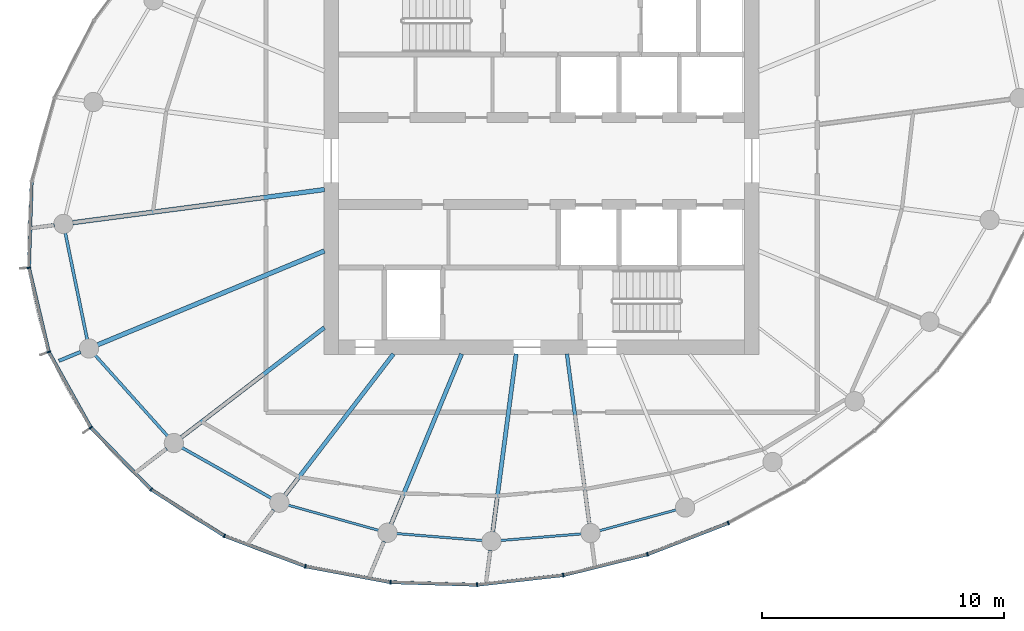
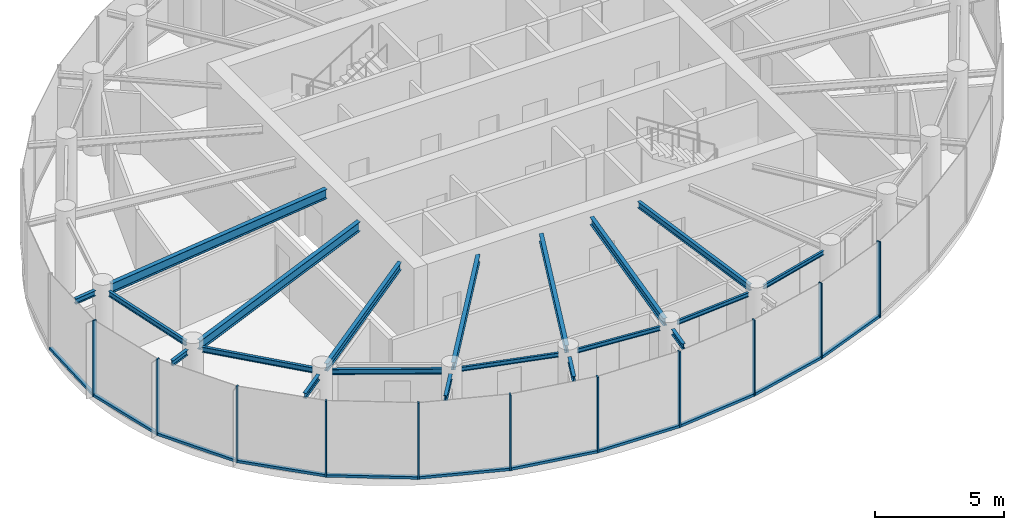
# One storey, part 2 of 13: 22 members, 20 beams, 3 elements without a shape of their own.
"""IFC4 building model written with IfcOpenShell, lengths in metres."""

from ifc_helpers import new_model, si_unit, direction, frame, origin, origin_2d, place, context, subcontext, project, spatial, rectangle, i_section, extrude, source, transform, mapped, material, layer, layer_set, material_profile, profile_set, type_object, element, aggregate, save


model = new_model("IFC4")

# Units and contexts
model_context = context("Model", 3, precision=1e-05, world=origin(), true_north=direction((0.0, 1.0)))
body_context = subcontext(model_context, "Body", "Model", "MODEL_VIEW")
ifc_project = project(units=[si_unit("LENGTHUNIT", "METRE"), si_unit("AREAUNIT", "SQUARE_METRE"), si_unit("VOLUMEUNIT", "CUBIC_METRE"), si_unit("PLANEANGLEUNIT", "RADIAN"), si_unit("MASSUNIT", "GRAM", prefix="KILO")], contexts=[model_context])

# Site, building, storey
site_placement = place(None, origin())
site = spatial("IfcSite", under=ifc_project, at=site_placement, CompositionType="ELEMENT")
building_placement = place(site_placement, origin())
building = spatial("IfcBuilding", under=site, at=building_placement, Name="Spindrift Exchange Tower", CompositionType="ELEMENT")
storey_placement = place(building_placement, frame((0.0, 0.0, 242.300048828125)))
storey = spatial("IfcBuildingStorey", under=building, at=storey_placement, Name="L59", CompositionType="ELEMENT", Elevation=242.300048828125)

# Beams
ifc_material_1 = material(Name="Steel Grade 300", Category="steel")
ifc_material_profile_1 = material_profile(ifc_material_1, i_section(OverallWidth=0.18994140625, OverallDepth=0.4541015625, WebThickness=0.008544921875, FlangeThickness=0.0126953125, FilletRadius=0.013916015625, at=origin_2d()), Name="460UB67.1")
ifc_profile_set_1 = profile_set([ifc_material_profile_1], Name="Steel Grade 300")
beam_type_1 = type_object("IfcBeamType", Name="Floor Beam 460UB67.1 Steel Grade 300", PredefinedType="BEAM", material=ifc_profile_set_1)
shared_shape_1 = source(origin(), body_context, "Body", "SweptSolid", [
    extrude(i_section(OverallWidth=0.18994140625, OverallDepth=0.4541015625, WebThickness=0.008544921875, FlangeThickness=0.0126953125, FilletRadius=0.013916015625, at=origin_2d()), origin(), (0.0, 0.0, 1.0), 10.510009765625),
])
beam_1_placement = place(storey_placement, frame((43.019775390625, 46.817626953125, 3.35302734375), z_axis=(-0.991445042488, -0.130524816516, 0.0), x_axis=(0.130524816516, -0.991445042488, 0.0)))
element("IfcBeam", 1, at=beam_1_placement, inside=storey, type_object=beam_type_1, Name="L59 radial beam R13A", PredefinedType="BEAM", context=body_context, shape_type="MappedRepresentation", body=[
    mapped(shared_shape_1, transform((0.0, 0.0, 0.0), scale=1.0)),
])
shared_shape_2 = source(origin(), body_context, "Body", "SweptSolid", [
    extrude(i_section(OverallWidth=0.18994140625, OverallDepth=0.4541015625, WebThickness=0.008544921875, FlangeThickness=0.0126953125, FilletRadius=0.013916015625, at=origin_2d()), origin(), (0.0, 0.0, 1.0), 10.160400390625),
])
beam_2_placement = place(storey_placement, frame((43.0185546875, 44.27978515625, 3.35302734375), z_axis=(-0.923880358773, -0.382681437588, 0.0), x_axis=(0.382681437588, -0.923880358773, 0.0)))
element("IfcBeam", 2, at=beam_2_placement, inside=storey, type_object=beam_type_1, Name="L59 radial beam R14A", PredefinedType="BEAM", context=body_context, shape_type="MappedRepresentation", body=[
    mapped(shared_shape_2, transform((0.0, 0.0, 0.0), scale=1.0)),
])
ifc_material_profile_2 = material_profile(ifc_material_1, i_section(OverallWidth=0.1708984375, OverallDepth=0.35205078125, WebThickness=0.0068359375, FlangeThickness=0.009765625, FilletRadius=0.013916015625, at=origin_2d()), Name="360UB44.7")
ifc_profile_set_2 = profile_set([ifc_material_profile_2], Name="Steel Grade 300")
beam_type_2 = type_object("IfcBeamType", Name="Floor Beam 360UB44.7 Steel Grade 300", PredefinedType="BEAM", material=ifc_profile_set_2)
shared_shape_3 = source(origin(), body_context, "Body", "SweptSolid", [
    extrude(i_section(OverallWidth=0.1708984375, OverallDepth=0.35205078125, WebThickness=0.0068359375, FlangeThickness=0.009765625, FilletRadius=0.013916015625, at=origin_2d()), origin(), (0.0, 0.0, 1.0), 7.466796875),
])
beam_3_placement = place(storey_placement, frame((43.015869140625, 41.106201171875, 3.404052734375), z_axis=(-0.793360004804, -0.608752743548, 0.0), x_axis=(0.608752743548, -0.793360004804, 0.0)))
element("IfcBeam", 3, at=beam_3_placement, inside=storey, type_object=beam_type_2, Name="L59 radial beam R15A", PredefinedType="BEAM", context=body_context, shape_type="MappedRepresentation", body=[
    mapped(shared_shape_3, transform((0.0, 0.0, 0.0), scale=1.0)),
])
shared_shape_4 = source(origin(), body_context, "Body", "SweptSolid", [
    extrude(i_section(OverallWidth=0.1708984375, OverallDepth=0.35205078125, WebThickness=0.0068359375, FlangeThickness=0.009765625, FilletRadius=0.013916015625, at=origin_2d()), origin(), (0.0, 0.0, 1.0), 7.3740234375),
])
beam_4_placement = place(storey_placement, frame((45.87353515625, 40.015869140625, 3.404052734375), z_axis=(-0.608751913917, -0.793360641387, 0.0), x_axis=(0.793360641387, -0.608751913917, 0.0)))
element("IfcBeam", 4, at=beam_4_placement, inside=storey, type_object=beam_type_2, Name="L59 radial beam R16A", PredefinedType="BEAM", context=body_context, shape_type="MappedRepresentation", body=[
    mapped(shared_shape_4, transform((0.0, 0.0, 0.0), scale=1.0)),
])
shared_shape_5 = source(origin(), body_context, "Body", "SweptSolid", [
    extrude(i_section(OverallWidth=0.1708984375, OverallDepth=0.35205078125, WebThickness=0.0068359375, FlangeThickness=0.009765625, FilletRadius=0.013916015625, at=origin_2d()), origin(), (0.0, 0.0, 1.0), 7.630859375),
])
beam_5_placement = place(storey_placement, frame((48.69384765625, 40.0185546875, 3.404052734375), z_axis=(-0.382676740702, -0.92388230426, 0.0), x_axis=(0.92388230426, -0.382676740702, 0.0)))
element("IfcBeam", 5, at=beam_5_placement, inside=storey, type_object=beam_type_2, Name="L59 radial beam R17A", PredefinedType="BEAM", context=body_context, shape_type="MappedRepresentation", body=[
    mapped(shared_shape_5, transform((0.0, 0.0, 0.0), scale=1.0)),
])
shared_shape_6 = source(origin(), body_context, "Body", "SweptSolid", [
    extrude(i_section(OverallWidth=0.1708984375, OverallDepth=0.35205078125, WebThickness=0.0068359375, FlangeThickness=0.009765625, FilletRadius=0.013916015625, at=origin_2d()), origin(), (0.0, 0.0, 1.0), 7.43798828125),
])
beam_6_placement = place(storey_placement, frame((50.949462890625, 40.019775390625, 3.404052734375), z_axis=(-0.130540269579, -0.991443007953, 0.0), x_axis=(0.991443007953, -0.130540269579, 0.0)))
element("IfcBeam", 6, at=beam_6_placement, inside=storey, type_object=beam_type_2, Name="L59 radial beam R18A", PredefinedType="BEAM", context=body_context, shape_type="MappedRepresentation", body=[
    mapped(shared_shape_6, transform((0.0, 0.0, 0.0), scale=1.0)),
])
ifc_material_profile_3 = material_profile(ifc_material_1, i_section(OverallWidth=0.14892578125, OverallDepth=0.298095703125, WebThickness=0.005615234375, FlangeThickness=0.008056640625, FilletRadius=0.012939453125, at=origin_2d()), Name="310UB32.0")
ifc_profile_set_3 = profile_set([ifc_material_profile_3], Name="Steel Grade 300")
beam_type_3 = type_object("IfcBeamType", Name="Floor Beam 310UB32.0 Steel Grade 300", PredefinedType="BEAM", material=ifc_profile_set_3)
shared_shape_7 = source(origin(), body_context, "Body", "SweptSolid", [
    extrude(i_section(OverallWidth=0.14892578125, OverallDepth=0.298095703125, WebThickness=0.005615234375, FlangeThickness=0.008056640625, FilletRadius=0.012939453125, at=origin_2d()), origin(), (0.0, 0.0, 1.0), 7.099853515625),
])
beam_7_placement = place(storey_placement, frame((53.050537109375, 40.019775390625, 3.430908203125), z_axis=(0.130532789835, -0.991443992759, 0.0), x_axis=(0.991443992759, 0.130532789835, 0.0)))
element("IfcBeam", 7, at=beam_7_placement, inside=storey, type_object=beam_type_3, Name="L59 radial beam R19A", PredefinedType="BEAM", context=body_context, shape_type="MappedRepresentation", body=[
    mapped(shared_shape_7, transform((0.0, 0.0, 0.0), scale=1.0)),
])
ifc_material_profile_4 = material_profile(ifc_material_1, i_section(OverallWidth=0.1240234375, OverallDepth=0.248046875, WebThickness=0.0048828125, FlangeThickness=0.008056640625, FilletRadius=0.011962890625, at=origin_2d()), Name="250UB25.7")
ifc_profile_set_4 = profile_set([ifc_material_profile_4], Name="Steel Grade 300")
beam_type_4 = type_object("IfcBeamType", Name="Edge Beam 250UB25.7 Steel Grade 300", PredefinedType="SPANDREL", material=ifc_profile_set_4)
shared_shape_8 = source(origin(), body_context, "Body", "SweptSolid", [
    extrude(i_section(OverallWidth=0.1240234375, OverallDepth=0.248046875, WebThickness=0.0048828125, FlangeThickness=0.008056640625, FilletRadius=0.011962890625, at=origin_2d()), origin(), (0.0, 0.0, 1.0), 4.497802734375),
])
beam_8_placement = place(storey_placement, frame((32.299072265625, 45.024169921875, 3.4560546875), z_axis=(0.201217935785, -0.979546498293, 0.0), x_axis=(0.979546498293, 0.201217935785, 0.0)))
element("IfcBeam", 8, at=beam_8_placement, inside=storey, type_object=beam_type_4, Name="L59 edge beam E13", PredefinedType="SPANDREL", context=body_context, shape_type="MappedRepresentation", body=[
    mapped(shared_shape_8, transform((0.0, 0.0, 0.0), scale=1.0)),
])
shared_shape_9 = source(origin(), body_context, "Body", "SweptSolid", [
    extrude(i_section(OverallWidth=0.1240234375, OverallDepth=0.248046875, WebThickness=0.0048828125, FlangeThickness=0.008056640625, FilletRadius=0.011962890625, at=origin_2d()), origin(), (0.0, 0.0, 1.0), 4.499755859375),
])
beam_9_placement = place(storey_placement, frame((33.533935546875, 39.963134765625, 3.4560546875), z_axis=(0.667419502646, -0.744681950558, 0.0), x_axis=(0.744681950558, 0.667419502646, 0.0)))
element("IfcBeam", 9, at=beam_9_placement, inside=storey, type_object=beam_type_4, Name="L59 edge beam E14", PredefinedType="SPANDREL", context=body_context, shape_type="MappedRepresentation", body=[
    mapped(shared_shape_9, transform((0.0, 0.0, 0.0), scale=1.0)),
])
shared_shape_10 = source(origin(), body_context, "Body", "SweptSolid", [
    extrude(i_section(OverallWidth=0.1240234375, OverallDepth=0.248046875, WebThickness=0.0048828125, FlangeThickness=0.008056640625, FilletRadius=0.011962890625, at=origin_2d()), origin(), (0.0, 0.0, 1.0), 4.2509765625),
])
beam_10_placement = place(storey_placement, frame((37.121337890625, 36.142333984375, 3.4560546875), z_axis=(0.870615246867, -0.491964523033, 0.0), x_axis=(0.491964523033, 0.870615246867, 0.0)))
element("IfcBeam", 10, at=beam_10_placement, inside=storey, type_object=beam_type_4, Name="L59 edge beam E15", PredefinedType="SPANDREL", context=body_context, shape_type="MappedRepresentation", body=[
    mapped(shared_shape_10, transform((0.0, 0.0, 0.0), scale=1.0)),
])
ifc_material_profile_5 = material_profile(ifc_material_1, i_section(OverallWidth=0.09912109375, OverallDepth=0.197998046875, WebThickness=0.00439453125, FlangeThickness=0.007080078125, FilletRadius=0.010986328125, at=origin_2d()), Name="200UB18.2")
ifc_profile_set_5 = profile_set([ifc_material_profile_5], Name="Steel Grade 300")
beam_type_5 = type_object("IfcBeamType", Name="Edge Beam 200UB18.2 Steel Grade 300", PredefinedType="SPANDREL", material=ifc_profile_set_5)
shared_shape_11 = source(origin(), body_context, "Body", "SweptSolid", [
    extrude(i_section(OverallWidth=0.09912109375, OverallDepth=0.197998046875, WebThickness=0.00439453125, FlangeThickness=0.007080078125, FilletRadius=0.010986328125, at=origin_2d()), origin(), (0.0, 0.0, 1.0), 3.885498046875),
])
beam_11_placement = place(storey_placement, frame((41.519287109375, 33.761962890625, 3.48095703125), z_axis=(0.963333134661, -0.268308165482, 0.0), x_axis=(0.268308165482, 0.963333134661, 0.0)))
element("IfcBeam", 11, at=beam_11_placement, inside=storey, type_object=beam_type_5, Name="L59 edge beam E16", PredefinedType="SPANDREL", context=body_context, shape_type="MappedRepresentation", body=[
    mapped(shared_shape_11, transform((0.0, 0.0, 0.0), scale=1.0)),
])
shared_shape_12 = source(origin(), body_context, "Body", "SweptSolid", [
    extrude(i_section(OverallWidth=0.09912109375, OverallDepth=0.197998046875, WebThickness=0.00439453125, FlangeThickness=0.007080078125, FilletRadius=0.010986328125, at=origin_2d()), origin(), (0.0, 0.0, 1.0), 3.5546875),
])
beam_12_placement = place(storey_placement, frame((46.007080078125, 32.586669921875, 3.48095703125), z_axis=(0.996727103969, -0.080839842983, 0.0), x_axis=(0.080839842983, 0.996727103969, 0.0)))
element("IfcBeam", 12, at=beam_12_placement, inside=storey, type_object=beam_type_5, Name="L59 edge beam E17", PredefinedType="SPANDREL", context=body_context, shape_type="MappedRepresentation", body=[
    mapped(shared_shape_12, transform((0.0, 0.0, 0.0), scale=1.0)),
])
shared_shape_13 = source(origin(), body_context, "Body", "SweptSolid", [
    extrude(i_section(OverallWidth=0.09912109375, OverallDepth=0.197998046875, WebThickness=0.00439453125, FlangeThickness=0.007080078125, FilletRadius=0.010986328125, at=origin_2d()), origin(), (0.0, 0.0, 1.0), 3.351806640625),
])
beam_13_placement = place(storey_placement, frame((50.3076171875, 32.2998046875, 3.48095703125), z_axis=(0.996672670999, 0.081508201334, 0.0), x_axis=(-0.081508201334, 0.996672670999, 0.0)))
element("IfcBeam", 13, at=beam_13_placement, inside=storey, type_object=beam_type_5, Name="L59 edge beam E18", PredefinedType="SPANDREL", context=body_context, shape_type="MappedRepresentation", body=[
    mapped(shared_shape_13, transform((0.0, 0.0, 0.0), scale=1.0)),
])
shared_shape_14 = source(origin(), body_context, "Body", "SweptSolid", [
    extrude(i_section(OverallWidth=0.09912109375, OverallDepth=0.197998046875, WebThickness=0.00439453125, FlangeThickness=0.007080078125, FilletRadius=0.010986328125, at=origin_2d()), origin(), (0.0, 0.0, 1.0), 3.2919921875),
])
beam_14_placement = place(storey_placement, frame((54.3935546875, 32.70361328125, 3.48095703125), z_axis=(0.965045644564, 0.262081864896, 0.0), x_axis=(-0.262081864896, 0.965045644564, 0.0)))
element("IfcBeam", 14, at=beam_14_placement, inside=storey, type_object=beam_type_5, Name="L59 edge beam E19", PredefinedType="SPANDREL", context=body_context, shape_type="MappedRepresentation", body=[
    mapped(shared_shape_14, transform((0.0, 0.0, 0.0), scale=1.0)),
])
ifc_material_profile_6 = material_profile(ifc_material_1, i_section(OverallWidth=0.14599609375, OverallDepth=0.251953125, WebThickness=0.006103515625, FlangeThickness=0.008544921875, FilletRadius=0.011962890625, at=origin_2d()), Name="250UB31.4")
ifc_profile_set_6 = profile_set([ifc_material_profile_6], Name="Steel Grade 300")
beam_type_6 = type_object("IfcBeamType", Name="Cantilever Beam 250UB31.4 Steel Grade 300", PredefinedType="BEAM", material=ifc_profile_set_6)
shared_shape_15 = source(origin(), body_context, "Body", "SweptSolid", [
    extrude(i_section(OverallWidth=0.14599609375, OverallDepth=0.251953125, WebThickness=0.006103515625, FlangeThickness=0.008544921875, FilletRadius=0.011962890625, at=origin_2d()), origin(), (0.0, 0.0, 1.0), 0.974609375),
])
beam_15_placement = place(storey_placement, frame((31.845947265625, 45.3466796875, 3.453857421875), z_axis=(-0.991447473438, -0.130506350091, 0.0), x_axis=(0.130506350091, -0.991447473438, 0.0)))
element("IfcBeam", 15, at=beam_15_placement, inside=storey, type_object=beam_type_6, Name="L59 cantilever beam R13T", PredefinedType="BEAM", context=body_context, shape_type="MappedRepresentation", body=[
    mapped(shared_shape_15, transform((0.0, 0.0, 0.0), scale=1.0)),
])
shared_shape_16 = source(origin(), body_context, "Body", "SweptSolid", [
    extrude(i_section(OverallWidth=0.14599609375, OverallDepth=0.251953125, WebThickness=0.006103515625, FlangeThickness=0.008544921875, FilletRadius=0.011962890625, at=origin_2d()), origin(), (0.0, 0.0, 1.0), 0.968017578125),
])
beam_16_placement = place(storey_placement, frame((32.92919921875, 40.1005859375, 3.453857421875), z_axis=(-0.923903097912, -0.382626535499, 0.0), x_axis=(0.382626535499, -0.923903097912, 0.0)))
element("IfcBeam", 16, at=beam_16_placement, inside=storey, type_object=beam_type_6, Name="L59 cantilever beam R14T", PredefinedType="BEAM", context=body_context, shape_type="MappedRepresentation", body=[
    mapped(shared_shape_16, transform((0.0, 0.0, 0.0), scale=1.0)),
])
shared_shape_17 = source(origin(), body_context, "Body", "SweptSolid", [
    extrude(i_section(OverallWidth=0.14599609375, OverallDepth=0.251953125, WebThickness=0.006103515625, FlangeThickness=0.008544921875, FilletRadius=0.011962890625, at=origin_2d()), origin(), (0.0, 0.0, 1.0), 1.402099609375),
])
beam_17_placement = place(storey_placement, frame((36.489013671875, 36.09814453125, 3.453857421875), z_axis=(-0.793264343433, -0.608877394422, 0.0), x_axis=(0.608877394422, -0.793264343433, 0.0)))
element("IfcBeam", 17, at=beam_17_placement, inside=storey, type_object=beam_type_6, Name="L59 cantilever beam R15T", PredefinedType="BEAM", context=body_context, shape_type="MappedRepresentation", body=[
    mapped(shared_shape_17, transform((0.0, 0.0, 0.0), scale=1.0)),
])
shared_shape_18 = source(origin(), body_context, "Body", "SweptSolid", [
    extrude(i_section(OverallWidth=0.14599609375, OverallDepth=0.251953125, WebThickness=0.006103515625, FlangeThickness=0.008544921875, FilletRadius=0.011962890625, at=origin_2d()), origin(), (0.0, 0.0, 1.0), 1.500732421875),
])
beam_18_placement = place(storey_placement, frame((40.921630859375, 33.5625, 3.453857421875), z_axis=(-0.608735450219, -0.793373273842, 0.0), x_axis=(0.793373273842, -0.608735450219, 0.0)))
element("IfcBeam", 18, at=beam_18_placement, inside=storey, type_object=beam_type_6, Name="L59 cantilever beam R16T", PredefinedType="BEAM", context=body_context, shape_type="MappedRepresentation", body=[
    mapped(shared_shape_18, transform((0.0, 0.0, 0.0), scale=1.0)),
])
shared_shape_19 = source(origin(), body_context, "Body", "SweptSolid", [
    extrude(i_section(OverallWidth=0.14599609375, OverallDepth=0.251953125, WebThickness=0.006103515625, FlangeThickness=0.008544921875, FilletRadius=0.011962890625, at=origin_2d()), origin(), (0.0, 0.0, 1.0), 1.3525390625),
])
beam_19_placement = place(storey_placement, frame((45.48291015625, 32.266357421875, 3.453857421875), z_axis=(-0.382691904823, -0.923876023059, 0.0), x_axis=(0.923876023059, -0.382691904823, 0.0)))
element("IfcBeam", 19, at=beam_19_placement, inside=storey, type_object=beam_type_6, Name="L59 cantilever beam R17T", PredefinedType="BEAM", context=body_context, shape_type="MappedRepresentation", body=[
    mapped(shared_shape_19, transform((0.0, 0.0, 0.0), scale=1.0)),
])
shared_shape_20 = source(origin(), body_context, "Body", "SweptSolid", [
    extrude(i_section(OverallWidth=0.14599609375, OverallDepth=0.251953125, WebThickness=0.006103515625, FlangeThickness=0.008544921875, FilletRadius=0.011962890625, at=origin_2d()), origin(), (0.0, 0.0, 1.0), 1.1015625),
])
beam_20_placement = place(storey_placement, frame((49.87939453125, 31.891845703125, 3.453857421875), z_axis=(-0.130551983722, -0.991441465517, 0.0), x_axis=(0.991441465517, -0.130551983722, 0.0)))
element("IfcBeam", 20, at=beam_20_placement, inside=storey, type_object=beam_type_6, Name="L59 cantilever beam R18T", PredefinedType="BEAM", context=body_context, shape_type="MappedRepresentation", body=[
    mapped(shared_shape_20, transform((0.0, 0.0, 0.0), scale=1.0)),
])

# Curtain wall, member
ifc_material_2 = material(Name="Fritted laminated glass with bronze frame", Category="glass")
ifc_layer = layer(ifc_material_2, 0.159912109375)
ifc_layer_set = layer_set([ifc_layer], Name="ZONE 5 BRONZE FRITTED WALL")
curtain_wall_type = type_object("IfcCurtainWallType", Name="ZONE 5 BRONZE FRITTED WALL", PredefinedType="NOTDEFINED", material=ifc_layer_set)
curtain_wall_1_placement = place(storey_placement, origin())
curtain_wall_1 = element("IfcCurtainWall", 21, at=curtain_wall_1_placement, inside=storey, type_object=curtain_wall_type, Name="L59 Zone 5 Bronze Fritted Wall run 4", PredefinedType="NOTDEFINED")
ifc_material_3 = material(Name="Bronze anodised aluminium", Category="aluminium")
ifc_material_profile_7 = material_profile(ifc_material_3, rectangle(XDim=0.139892578125, YDim=0.1201171875, at=origin_2d()), Name="ZONE 5 BRONZE FRITTED WALL TRANSOM 140X120")
ifc_profile_set_7 = profile_set([ifc_material_profile_7], Name="Bronze anodised aluminium")
member_type_1 = type_object("IfcMemberType", Name="ZONE 5 BRONZE FRITTED WALL TRANSOM 140X120", PredefinedType="USERDEFINED", material=ifc_profile_set_7)
shared_shape_21 = source(origin(), body_context, "Body", "SweptSolid", [
    extrude(rectangle(XDim=0.139892578125, YDim=0.1201171875, at=origin_2d()), origin(), (0.0, 0.0, 1.0), 3.52587890625),
])
member_1_placement = place(storey_placement, frame((49.36767578125, 30.470458984375, 0.06005859375), z_axis=(0.993836356052, 0.110857103465, 0.0), x_axis=(-0.110857103465, 0.993836356052, 0.0)))
member_1 = element("IfcMember", 22, at=member_1_placement, type_object=member_type_1, Name="L59 transom CW-5.24", ObjectType="TRANSOM", PredefinedType="USERDEFINED", context=body_context, shape_type="MappedRepresentation", body=[
    mapped(shared_shape_21, transform((0.0, 0.0, 0.0), scale=1.0)),
])

curtain_wall_2_placement = place(storey_placement, origin())
curtain_wall_2 = element("IfcCurtainWall", 23, at=curtain_wall_2_placement, inside=storey, type_object=curtain_wall_type, Name="L59 Zone 5 Bronze Fritted Wall run 5", PredefinedType="NOTDEFINED")
shared_shape_22 = source(origin(), body_context, "Body", "SweptSolid", [
    extrude(rectangle(XDim=0.139892578125, YDim=0.1201171875, at=origin_2d()), origin(), (0.0, 0.0, 1.0), 3.5263671875),
])
member_2_placement = place(storey_placement, frame((56.410888671875, 31.73681640625, 0.06005859375), z_axis=(0.932470326423, 0.361246578311, 0.0), x_axis=(-0.361246578311, 0.932470326423, 0.0)))
member_2 = element("IfcMember", 24, at=member_2_placement, type_object=member_type_1, Name="L59 transom CW-5.26", ObjectType="TRANSOM", PredefinedType="USERDEFINED", context=body_context, shape_type="MappedRepresentation", body=[
    mapped(shared_shape_22, transform((0.0, 0.0, 0.0), scale=1.0)),
])

# Member
shared_shape_23 = source(origin(), body_context, "Body", "SweptSolid", [
    extrude(rectangle(XDim=0.139892578125, YDim=0.1201171875, at=origin_2d()), origin(), (0.0, 0.0, 1.0), 3.521484375),
])
member_3_placement = place(storey_placement, frame((35.875244140625, 34.391845703125, 0.06005859375), z_axis=(0.845111436495, -0.534590179394, 0.0), x_axis=(0.534590179394, 0.845111436495, 0.0)))
member_3 = element("IfcMember", 25, at=member_3_placement, type_object=member_type_1, Name="L59 transom CW-5.20", ObjectType="TRANSOM", PredefinedType="USERDEFINED", context=body_context, shape_type="MappedRepresentation", body=[
    mapped(shared_shape_23, transform((0.0, 0.0, 0.0), scale=1.0)),
])

# Curtain wall, member
curtain_wall_3_placement = place(storey_placement, origin())
curtain_wall_3 = element("IfcCurtainWall", 26, at=curtain_wall_3_placement, inside=storey, type_object=curtain_wall_type, Name="L59 Zone 5 Bronze Fritted Wall run 3", PredefinedType="NOTDEFINED")
shared_shape_24 = source(origin(), body_context, "Body", "SweptSolid", [
    extrude(rectangle(XDim=0.139892578125, YDim=0.1201171875, at=origin_2d()), origin(), (0.0, 0.0, 1.0), 3.517333984375),
])
member_4_placement = place(storey_placement, frame((30.801513671875, 43.55419921875, 0.06005859375), z_axis=(0.22995613003, -0.973200995818, 0.0), x_axis=(0.973200995818, 0.22995613003, 0.0)))
member_4 = element("IfcMember", 27, at=member_4_placement, type_object=member_type_1, Name="L59 transom CW-5.17", ObjectType="TRANSOM", PredefinedType="USERDEFINED", context=body_context, shape_type="MappedRepresentation", body=[
    mapped(shared_shape_24, transform((0.0, 0.0, 0.0), scale=1.0)),
])

# Member
shared_shape_25 = source(origin(), body_context, "Body", "SweptSolid", [
    extrude(rectangle(XDim=0.139892578125, YDim=0.1201171875, at=origin_2d()), origin(), (0.0, 0.0, 1.0), 3.51953125),
])
member_5_placement = place(storey_placement, frame((33.376220703125, 36.953369140625, 0.06005859375), z_axis=(0.69694168054, -0.717127808641, 0.0), x_axis=(0.717127808641, 0.69694168054, 0.0)))
member_5 = element("IfcMember", 28, at=member_5_placement, type_object=member_type_1, Name="L59 transom CW-5.19", ObjectType="TRANSOM", PredefinedType="USERDEFINED", context=body_context, shape_type="MappedRepresentation", body=[
    mapped(shared_shape_25, transform((0.0, 0.0, 0.0), scale=1.0)),
])

shared_shape_26 = source(origin(), body_context, "Body", "SweptSolid", [
    extrude(rectangle(XDim=0.139892578125, YDim=0.1201171875, at=origin_2d()), origin(), (0.0, 0.0, 1.0), 3.526123046875),
])
member_6_placement = place(storey_placement, frame((52.930908203125, 30.871826171875, 0.06005859375), z_axis=(0.970726155931, 0.240188946856, 0.0), x_axis=(-0.240188946856, 0.970726155931, 0.0)))
member_6 = element("IfcMember", 29, at=member_6_placement, type_object=member_type_1, Name="L59 transom CW-5.25", ObjectType="TRANSOM", PredefinedType="USERDEFINED", context=body_context, shape_type="MappedRepresentation", body=[
    mapped(shared_shape_26, transform((0.0, 0.0, 0.0), scale=1.0)),
])

shared_shape_27 = source(origin(), body_context, "Body", "SweptSolid", [
    extrude(rectangle(XDim=0.139892578125, YDim=0.1201171875, at=origin_2d()), origin(), (0.0, 0.0, 1.0), 3.5234375),
])
member_7_placement = place(storey_placement, frame((38.90478515625, 32.482666015625, 0.06005859375), z_axis=(0.935789877312, -0.352558229971, 0.0), x_axis=(0.352558229971, 0.935789877312, 0.0)))
member_7 = element("IfcMember", 30, at=member_7_placement, type_object=member_type_1, Name="L59 transom CW-5.21", ObjectType="TRANSOM", PredefinedType="USERDEFINED", context=body_context, shape_type="MappedRepresentation", body=[
    mapped(shared_shape_27, transform((0.0, 0.0, 0.0), scale=1.0)),
])

shared_shape_28 = source(origin(), body_context, "Body", "SweptSolid", [
    extrude(rectangle(XDim=0.139892578125, YDim=0.1201171875, at=origin_2d()), origin(), (0.0, 0.0, 1.0), 3.517578125),
])
member_8_placement = place(storey_placement, frame((31.6318359375, 40.07568359375, 0.06005859375), z_axis=(0.485849174385, -0.874042664719, 0.0), x_axis=(0.874042664719, 0.485849174385, 0.0)))
member_8 = element("IfcMember", 31, at=member_8_placement, type_object=member_type_1, Name="L59 transom CW-5.18", ObjectType="TRANSOM", PredefinedType="USERDEFINED", context=body_context, shape_type="MappedRepresentation", body=[
    mapped(shared_shape_28, transform((0.0, 0.0, 0.0), scale=1.0)),
])

shared_shape_29 = source(origin(), body_context, "Body", "SweptSolid", [
    extrude(rectangle(XDim=0.139892578125, YDim=0.1201171875, at=origin_2d()), origin(), (0.0, 0.0, 1.0), 3.525634765625),
])
member_9_placement = place(storey_placement, frame((45.78369140625, 30.57177734375, 0.06005859375), z_axis=(0.999566856253, -0.029429574916, 0.0), x_axis=(0.029429574916, 0.999566856253, 0.0)))
member_9 = element("IfcMember", 32, at=member_9_placement, type_object=member_type_1, Name="L59 transom CW-5.23", ObjectType="TRANSOM", PredefinedType="USERDEFINED", context=body_context, shape_type="MappedRepresentation", body=[
    mapped(shared_shape_29, transform((0.0, 0.0, 0.0), scale=1.0)),
])

ifc_material_profile_8 = material_profile(ifc_material_3, rectangle(XDim=0.06005859375, YDim=0.159912109375, at=origin_2d()), Name="ZONE 5 BRONZE FRITTED WALL MULLION 60X160")
ifc_profile_set_8 = profile_set([ifc_material_profile_8], Name="Bronze anodised aluminium")
member_type_2 = type_object("IfcMemberType", Name="ZONE 5 BRONZE FRITTED WALL MULLION 60X160", PredefinedType="MULLION", material=ifc_profile_set_8)
shared_shape_30 = source(origin(), body_context, "Body", "SweptSolid", [
    extrude(rectangle(XDim=0.06005859375, YDim=0.159912109375, at=origin_2d()), origin(), (0.0, 0.0, 1.0), 3.579833984375),
])
member_10_placement = place(storey_placement, frame((30.794677734375, 43.58349609375, 0.0), z_axis=(0.0, 0.0, 1.0), x_axis=(0.099978853109, -0.994989562222, 0.0)))
member_10 = element("IfcMember", 33, at=member_10_placement, type_object=member_type_2, Name="L59 mullion CW-5.17", PredefinedType="MULLION", context=body_context, shape_type="MappedRepresentation", body=[
    mapped(shared_shape_30, transform((0.0, 0.0, 0.0), scale=1.0)),
])

member_11_placement = place(storey_placement, frame((31.6171875, 40.101806640625, 0.0), z_axis=(0.0, 0.0, 1.0), x_axis=(0.361318531407, -0.932442448016, 0.0)))
member_11 = element("IfcMember", 34, at=member_11_placement, type_object=member_type_2, Name="L59 mullion CW-5.18", PredefinedType="MULLION", context=body_context, shape_type="MappedRepresentation", body=[
    mapped(shared_shape_30, transform((0.0, 0.0, 0.0), scale=1.0)),
])

member_12_placement = place(storey_placement, frame((33.35546875, 36.974853515625, 0.0), z_axis=(0.0, 0.0, 1.0), x_axis=(0.596562144951, -0.802566886441, 0.0)))
member_12 = element("IfcMember", 35, at=member_12_placement, type_object=member_type_2, Name="L59 mullion CW-5.19", PredefinedType="MULLION", context=body_context, shape_type="MappedRepresentation", body=[
    mapped(shared_shape_30, transform((0.0, 0.0, 0.0), scale=1.0)),
])

member_13_placement = place(storey_placement, frame((35.849853515625, 34.407958984375, 0.0), z_axis=(0.0, 0.0, 1.0), x_axis=(0.776392486348, -0.630249718082, 0.0)))
member_13 = element("IfcMember", 36, at=member_13_placement, type_object=member_type_2, Name="L59 mullion CW-5.20", PredefinedType="MULLION", context=body_context, shape_type="MappedRepresentation", body=[
    mapped(shared_shape_30, transform((0.0, 0.0, 0.0), scale=1.0)),
])

member_14_placement = place(storey_placement, frame((38.876708984375, 32.493408203125, 0.0), z_axis=(0.0, 0.0, 1.0), x_axis=(0.895075921928, -0.44591377416, 0.0)))
member_14 = element("IfcMember", 37, at=member_14_placement, type_object=member_type_2, Name="L59 mullion CW-5.21", PredefinedType="MULLION", context=body_context, shape_type="MappedRepresentation", body=[
    mapped(shared_shape_30, transform((0.0, 0.0, 0.0), scale=1.0)),
])

member_15_placement = place(storey_placement, frame((42.22998046875, 31.229736328125, 0.0), z_axis=(0.0, 0.0, 1.0), x_axis=(0.963138536042, -0.269005874269, 0.0)))
member_15 = element("IfcMember", 38, at=member_15_placement, type_object=member_type_2, Name="L59 mullion CW-5.22", PredefinedType="MULLION", context=body_context, shape_type="MappedRepresentation", body=[
    mapped(shared_shape_30, transform((0.0, 0.0, 0.0), scale=1.0)),
])

member_16_placement = place(storey_placement, frame((45.75390625, 30.572509765625, 0.0), z_axis=(0.0, 0.0, 1.0), x_axis=(0.994292715487, -0.10668643742, 0.0)))
member_16 = element("IfcMember", 39, at=member_16_placement, type_object=member_type_2, Name="L59 mullion CW-5.23", PredefinedType="MULLION", context=body_context, shape_type="MappedRepresentation", body=[
    mapped(shared_shape_30, transform((0.0, 0.0, 0.0), scale=1.0)),
])

member_17_placement = place(storey_placement, frame((49.337890625, 30.46728515625, 0.0), z_axis=(0.0, 0.0, 1.0), x_axis=(0.999166244204, 0.040826663378, 0.0)))
member_17 = element("IfcMember", 40, at=member_17_placement, type_object=member_type_2, Name="L59 mullion CW-5.24", PredefinedType="MULLION", context=body_context, shape_type="MappedRepresentation", body=[
    mapped(shared_shape_30, transform((0.0, 0.0, 0.0), scale=1.0)),
])

member_18_placement = place(storey_placement, frame((52.901611328125, 30.86474609375, 0.0), z_axis=(0.0, 0.0, 1.0), x_axis=(0.984412761017, 0.175873579442, 0.0)))
member_18 = element("IfcMember", 41, at=member_18_placement, type_object=member_type_2, Name="L59 mullion CW-5.25", PredefinedType="MULLION", context=body_context, shape_type="MappedRepresentation", body=[
    mapped(shared_shape_30, transform((0.0, 0.0, 0.0), scale=1.0)),
])

member_19_placement = place(storey_placement, frame((56.383056640625, 31.725830078125, 0.0), z_axis=(0.0, 0.0, 1.0), x_axis=(0.953518403872, 0.301334786371, 0.0)))
member_19 = element("IfcMember", 42, at=member_19_placement, type_object=member_type_2, Name="L59 mullion CW-5.26", PredefinedType="MULLION", context=body_context, shape_type="MappedRepresentation", body=[
    mapped(shared_shape_30, transform((0.0, 0.0, 0.0), scale=1.0)),
])

member_20_placement = place(storey_placement, frame((59.72705078125, 33.021728515625, 0.0), z_axis=(0.0, 0.0, 1.0), x_axis=(0.907603873375, 0.419827594417, 0.0)))
member_20 = element("IfcMember", 43, at=member_20_placement, type_object=member_type_2, Name="L59 mullion CW-5.27", PredefinedType="MULLION", context=body_context, shape_type="MappedRepresentation", body=[
    mapped(shared_shape_30, transform((0.0, 0.0, 0.0), scale=1.0)),
])

aggregate(curtain_wall_2, [member_18, member_6, member_19, member_2, member_20])

shared_shape_31 = source(origin(), body_context, "Body", "SweptSolid", [
    extrude(rectangle(XDim=0.139892578125, YDim=0.1201171875, at=origin_2d()), origin(), (0.0, 0.0, 1.0), 3.52490234375),
])
member_21_placement = place(storey_placement, frame((42.25927734375, 31.224365234375, 0.06005859375), z_axis=(0.983049721336, -0.183339153976, 0.0), x_axis=(0.183339153976, 0.983049721336, 0.0)))
member_21 = element("IfcMember", 44, at=member_21_placement, type_object=member_type_1, Name="L59 transom CW-5.22", ObjectType="TRANSOM", PredefinedType="USERDEFINED", context=body_context, shape_type="MappedRepresentation", body=[
    mapped(shared_shape_31, transform((0.0, 0.0, 0.0), scale=1.0)),
])

aggregate(curtain_wall_1, [member_12, member_5, member_13, member_3, member_14, member_7, member_15, member_21, member_16, member_9, member_17, member_1])

shared_shape_32 = source(origin(), body_context, "Body", "SweptSolid", [
    extrude(rectangle(XDim=0.139892578125, YDim=0.1201171875, at=origin_2d()), origin(), (0.0, 0.0, 1.0), 3.51904296875),
])
member_22_placement = place(storey_placement, frame((30.9072265625, 47.130859375, 0.06005859375), z_axis=(-0.031704744648, -0.999497278219, 0.0), x_axis=(0.999497278219, -0.031704744648, 0.0)))
member_22 = element("IfcMember", 45, at=member_22_placement, type_object=member_type_1, Name="L59 transom CW-5.16", ObjectType="TRANSOM", PredefinedType="USERDEFINED", context=body_context, shape_type="MappedRepresentation", body=[
    mapped(shared_shape_32, transform((0.0, 0.0, 0.0), scale=1.0)),
])

aggregate(curtain_wall_3, [member_22, member_10, member_4, member_11, member_8])

save(model, "model.ifc")
